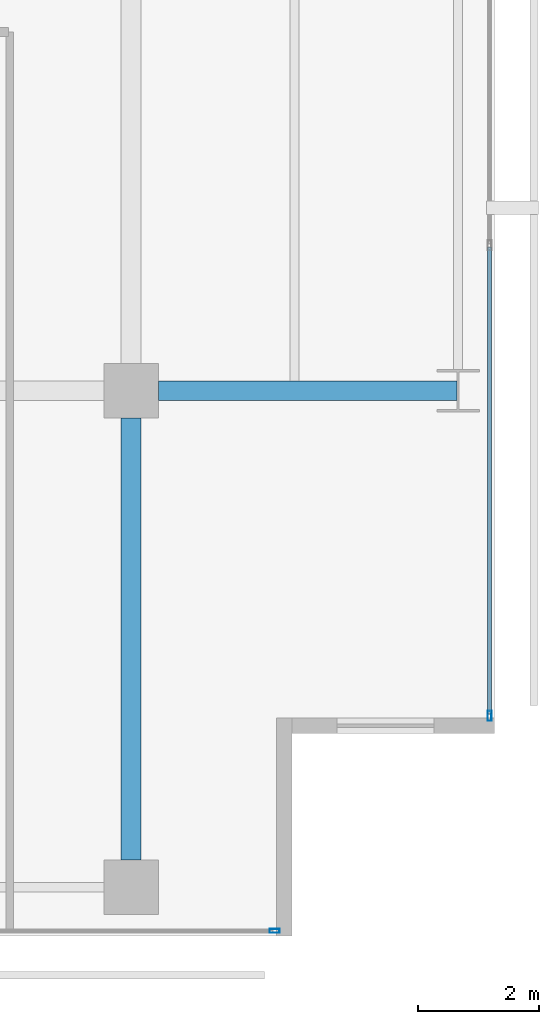
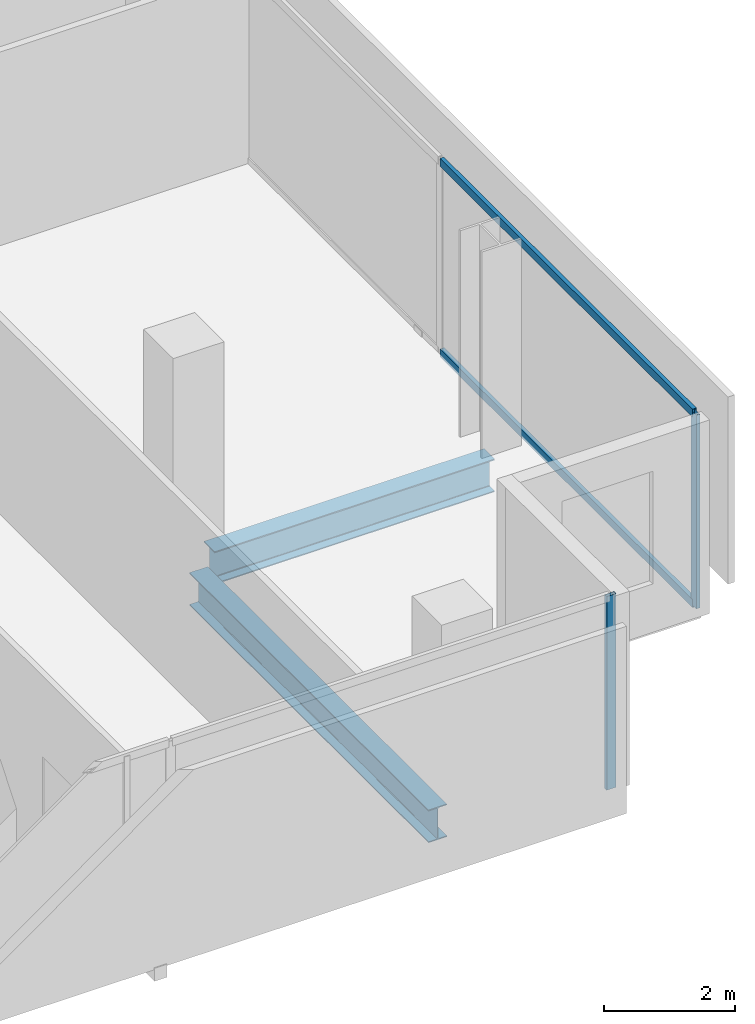
# One storey, part 16 of 40: 4 members, 2 beams, 2 elements without a shape of their own.
"""IFC4 building model written with IfcOpenShell, lengths in metres."""

from ifc_helpers import new_model, si_unit, direction, frame, origin, origin_2d, place, context, subcontext, project, spatial, hollow_rectangle, i_section, extrude, material, layer, layer_set, material_profile, profile_set, type_object, element, aggregate, save


model = new_model("IFC4")

# Units and contexts
model_context = context("Model", 3, precision=1e-05, world=origin(), true_north=direction((0.0, 1.0)))
body_context = subcontext(model_context, "Body", "Model", "MODEL_VIEW")
ifc_project = project(units=[si_unit("LENGTHUNIT", "METRE"), si_unit("AREAUNIT", "SQUARE_METRE"), si_unit("VOLUMEUNIT", "CUBIC_METRE"), si_unit("PLANEANGLEUNIT", "RADIAN"), si_unit("MASSUNIT", "GRAM", prefix="KILO")], contexts=[model_context])

# Site, building, storey
site_placement = place(None, origin())
site = spatial("IfcSite", under=ifc_project, at=site_placement, CompositionType="ELEMENT")
building_placement = place(site_placement, origin())
building = spatial("IfcBuilding", under=site, at=building_placement, Name="Maruvema Waterfront Hotel and Observation Tower", CompositionType="ELEMENT")
storey_placement = place(building_placement, frame((0.0, 0.0, 103.949951171875)))
storey = spatial("IfcBuildingStorey", under=building, at=storey_placement, Name="L25", CompositionType="ELEMENT", Elevation=103.949951171875)

# Curtain wall, members
ifc_material_1 = material(Name="Anodised bronze aluminium and solar-control low-E IGU", Category="aluminium")
ifc_layer = layer(ifc_material_1, 0.159912109375, Name="Zone 1 Bronze Inner Thermal Curtain Wall System CW-02")
ifc_layer_set = layer_set([ifc_layer], Name="Anodised bronze aluminium and solar-control low-E IGU")
curtain_wall_type = type_object("IfcCurtainWallType", Name="Zone 1 Bronze Inner Thermal Curtain Wall System CW-02", PredefinedType="USERDEFINED", material=ifc_layer_set)
curtain_wall_1_placement = place(storey_placement, origin())
curtain_wall_1 = element("IfcCurtainWall", 1, at=curtain_wall_1_placement, inside=storey, type_object=curtain_wall_type, Name="L25 Curtain Wall CW-L25-E", ObjectType="UNITISED CURTAIN WALL", PredefinedType="USERDEFINED")
ifc_material_2 = material(Name="Anodised architectural bronze aluminium", Category="aluminium")
ifc_material_profile_1 = material_profile(ifc_material_2, hollow_rectangle(XDim=0.070068359375, YDim=0.14990234375, WallThickness=0.00390625, at=origin_2d()), Name="ALU-T70x150")
ifc_profile_set_1 = profile_set([ifc_material_profile_1], Name="Anodised architectural bronze aluminium")
member_type_1 = type_object("IfcMemberType", Name="Curtain Wall Horizontal Transom ALU-T70x150", PredefinedType="USERDEFINED", material=ifc_profile_set_1)
member_1_placement = place(storey_placement, frame((64.719970703125, 3.659912109375, 0.030029296875), z_axis=(0.0, 1.0, 0.0), x_axis=(-1.0, 0.0, 0.0)))
member_1 = element("IfcMember", 2, at=member_1_placement, type_object=member_type_1, Name="CW-02 transom 1.1", ObjectType="TRANSOM", PredefinedType="USERDEFINED", context=body_context, shape_type="SweptSolid", body=[
    extrude(hollow_rectangle(XDim=0.070068359375, YDim=0.14990234375, WallThickness=0.00390625, at=origin_2d()), origin(), (0.0, 0.0, 1.0), 7.710205078125),
])
member_2_placement = place(storey_placement, frame((64.719970703125, 3.659912109375, 3.580078125), z_axis=(0.0, 1.0, 0.0), x_axis=(-1.0, 0.0, 0.0)))
member_2 = element("IfcMember", 3, at=member_2_placement, type_object=member_type_1, Name="CW-02 transom 1.2", ObjectType="TRANSOM", PredefinedType="USERDEFINED", context=body_context, shape_type="SweptSolid", body=[
    extrude(hollow_rectangle(XDim=0.070068359375, YDim=0.14990234375, WallThickness=0.00390625, at=origin_2d()), origin(), (0.0, 0.0, 1.0), 7.710205078125),
])

# Curtain wall, member
curtain_wall_2_placement = place(storey_placement, origin())
curtain_wall_2 = element("IfcCurtainWall", 4, at=curtain_wall_2_placement, inside=storey, type_object=curtain_wall_type, Name="L25 Curtain Wall CW-L25-S", ObjectType="UNITISED CURTAIN WALL", PredefinedType="USERDEFINED")
ifc_material_3 = material(Name="Anodised architectural bronze aluminium", Category="aluminium")
ifc_material_profile_2 = material_profile(ifc_material_3, hollow_rectangle(XDim=0.06494140625, YDim=0.1650390625, WallThickness=0.00390625, at=origin_2d()), Name="ALU-M65x165")
ifc_profile_set_2 = profile_set([ifc_material_profile_2], Name="Anodised architectural bronze aluminium")
member_type_2 = type_object("IfcMemberType", Name="Curtain Wall Primary Mullion ALU-M65x165", PredefinedType="MULLION", material=ifc_profile_set_2)
member_3_placement = place(storey_placement, frame((61.169921875, 0.080078125, 0.0), z_axis=(0.0, 0.0, 1.0), x_axis=(0.0, 1.0, 0.0)))
member_3 = element("IfcMember", 5, at=member_3_placement, type_object=member_type_2, Name="CW-02 mullion 7", PredefinedType="MULLION", context=body_context, shape_type="SweptSolid", body=[
    extrude(hollow_rectangle(XDim=0.06494140625, YDim=0.1650390625, WallThickness=0.00390625, at=origin_2d()), origin(), (0.0, 0.0, 1.0), 3.610107421875),
])
aggregate(curtain_wall_2, [member_3])

# Member
member_4_placement = place(storey_placement, frame((64.719970703125, 3.6298828125, 0.0), z_axis=(0.0, 0.0, 1.0), x_axis=(-1.0, 0.0, 0.0)))
member_4 = element("IfcMember", 6, at=member_4_placement, type_object=member_type_2, Name="CW-02 mullion 1", PredefinedType="MULLION", context=body_context, shape_type="SweptSolid", body=[
    extrude(hollow_rectangle(XDim=0.06494140625, YDim=0.1650390625, WallThickness=0.00390625, at=origin_2d()), origin(), (0.0, 0.0, 1.0), 3.610107421875),
])

aggregate(curtain_wall_1, [member_4, member_1, member_2])

# Beams
ifc_material_4 = material(Name="Steel ASTM A572 Grade 50", Category="steel")
ifc_material_profile_3 = material_profile(ifc_material_4, i_section(OverallWidth=0.323974609375, OverallDepth=0.611083984375, WebThickness=0.0126953125, FlangeThickness=0.01904296875, FilletRadius=0.01806640625, at=origin_2d()), Name="W610x155.0")
ifc_profile_set_3 = profile_set([ifc_material_profile_3], Name="Steel ASTM A572 Grade 50")
beam_type = type_object("IfcBeamType", Name="Primary Floor Girder W610x155.0", PredefinedType="BEAM", material=ifc_profile_set_3)
beam_1_placement = place(storey_placement, frame((59.25, 9.0, -0.54541015625), z_axis=(1.0, 0.0, 0.0), x_axis=(0.0, 1.0, 0.0)))
element("IfcBeam", 7, at=beam_1_placement, inside=storey, type_object=beam_type, Name="L25 Floor Girder EW-12", PredefinedType="BEAM", context=body_context, shape_type="SweptSolid", body=[
    extrude(i_section(OverallWidth=0.323974609375, OverallDepth=0.611083984375, WebThickness=0.0126953125, FlangeThickness=0.01904296875, FilletRadius=0.01806640625, at=origin_2d()), origin(), (0.0, 0.0, 1.0), 4.93603515625),
])
beam_2_placement = place(storey_placement, frame((58.800048828125, 1.25, -0.54541015625), z_axis=(0.0, 1.0, 0.0), x_axis=(-1.0, 0.0, 0.0)))
element("IfcBeam", 8, at=beam_2_placement, inside=storey, type_object=beam_type, Name="L25 Floor Girder NS-27", PredefinedType="BEAM", context=body_context, shape_type="SweptSolid", body=[
    extrude(i_section(OverallWidth=0.323974609375, OverallDepth=0.611083984375, WebThickness=0.0126953125, FlangeThickness=0.01904296875, FilletRadius=0.01806640625, at=origin_2d()), origin(), (0.0, 0.0, 1.0), 7.300048828125),
])

save(model, "model.ifc")
